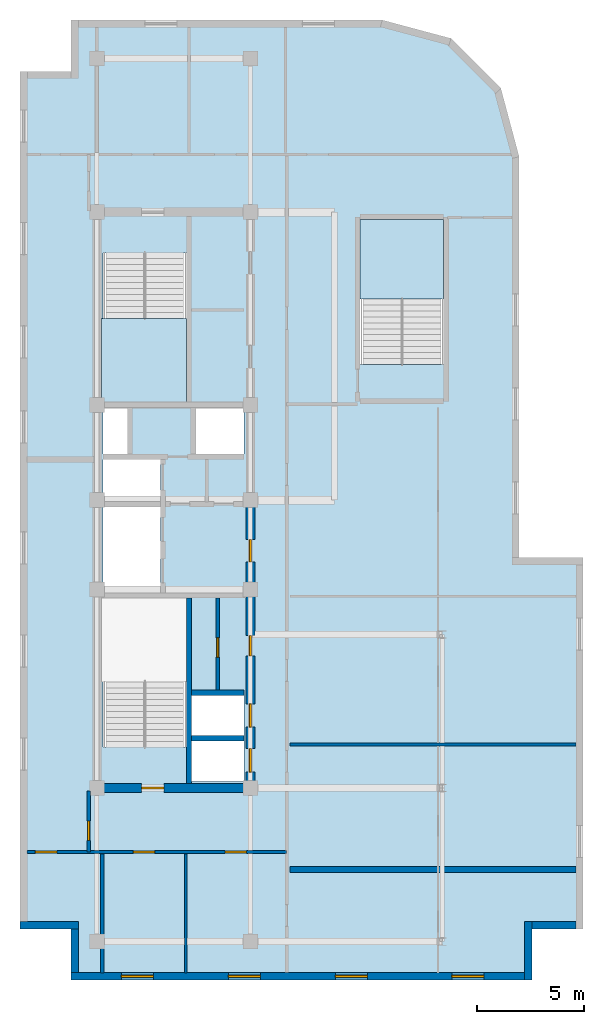
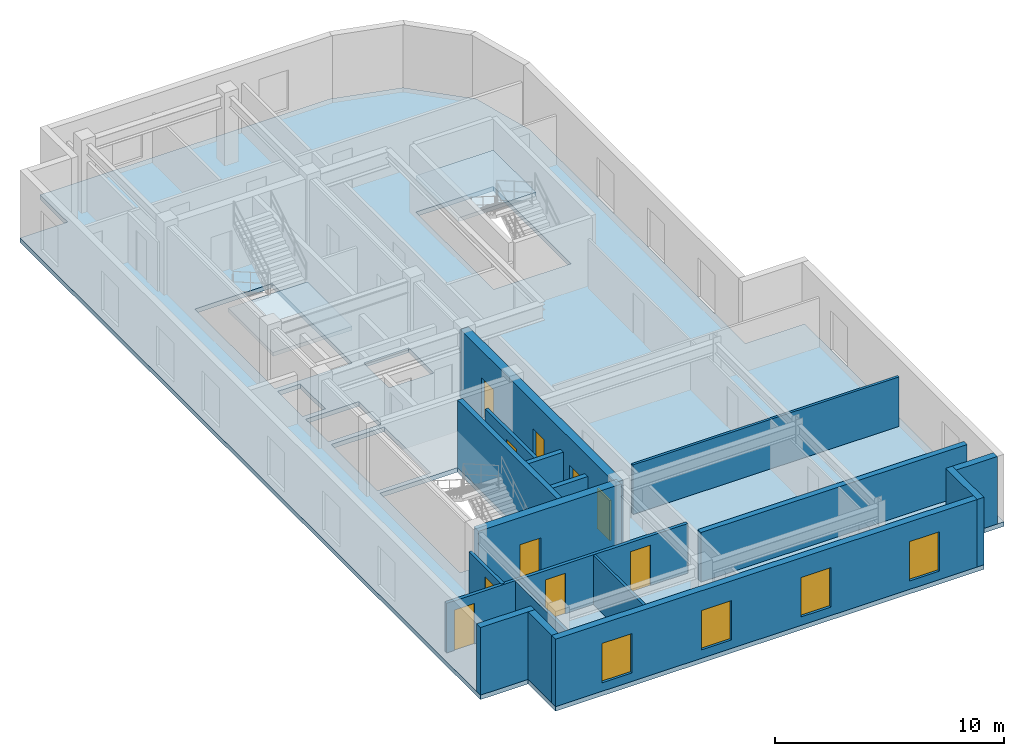
# One storey, part 2 of 6: 17 walls, 10 doors, 4 windows, 3 slabs, 14 openings, 2 elements without a shape of their own.
"""IFC4 building model written with IfcOpenShell, lengths in metres."""

from ifc_helpers import new_model, entity, si_unit, converted_unit, direction, frame, origin_with_axes, origin_2d_with_axis, place, context, subcontext, project, spatial, polyline, rectangle, outline, extrude, material, layer, layer_set, type_object, element, fill, aggregate, save


model = new_model("IFC4")

# Units and contexts
model_context = context("Model", 3, precision=1e-05, world=origin_with_axes(), true_north=direction((0.0, 1.0)))
body_context = subcontext(model_context, "Body", "Model", "MODEL_VIEW")
ifc_project = project(units=[si_unit("LENGTHUNIT", "METRE"), si_unit("AREAUNIT", "SQUARE_METRE"), si_unit("VOLUMEUNIT", "CUBIC_METRE"), converted_unit("PLANEANGLEUNIT", "DEGREE", entity("IfcPlaneAngleMeasure", 0.017453292519943295), si_unit("PLANEANGLEUNIT", "RADIAN"), dimensions=[0, 0, 0, 0, 0, 0, 0]), si_unit("MASSUNIT", "GRAM", prefix="KILO"), si_unit("THERMODYNAMICTEMPERATUREUNIT", "KELVIN")], contexts=[model_context])

# Site, building, storey
site_placement = place(None, origin_with_axes())
site = spatial("IfcSite", under=ifc_project, at=site_placement, CompositionType="ELEMENT")
building_placement = place(site_placement, origin_with_axes())
building = spatial("IfcBuilding", under=site, at=building_placement, Name="Varnlund Millrace Tower", CompositionType="ELEMENT")
storey_placement = place(building_placement, frame((0.0, 0.0, 299.7), z_axis=(0.0, 0.0, 1.0), x_axis=(1.0, 0.0, 0.0)))
storey = spatial("IfcBuildingStorey", under=building, at=storey_placement, Name="L74", CompositionType="ELEMENT", Elevation=299.7)

# Slab
ifc_material_1 = material(Name="Concrete C60/75", Category="concrete")
ifc_layer_1 = layer(ifc_material_1, 0.24, Name="Concrete C60/75")
ifc_layer_set_1 = layer_set([ifc_layer_1], Name="Concrete C60/75")
slab_type_1 = type_object("IfcSlabType", Name="Type-Deck-Plate-Typical-240", PredefinedType="FLOOR", material=ifc_layer_set_1)
slab_1_placement = place(storey_placement, frame((0.0, 0.0, -0.24), z_axis=(0.0, 0.0, 1.0), x_axis=(1.0, 0.0, 0.0)))
element("IfcSlab", 1, at=slab_1_placement, inside=storey, type_object=slab_type_1, Name="Type-Deck-Plate-Typical-240", PredefinedType="FLOOR", context=body_context, shape_type="SweptSolid", body=[
    extrude(outline(polyline([(34.2, 21.6), (31.2, 21.6), (31.2, 40.4), (30.343, 43.6), (28.0, 45.943), (24.8, 46.8), (10.2, 46.8), (10.2, 44.4), (7.8, 44.4), (7.8, 4.2), (10.2, 4.2), (10.2, 1.8), (31.8, 1.8), (31.8, 4.2), (34.2, 4.2), (34.2, 21.6)]), holes=[polyline([(18.3, 13.1), (18.3, 11.1), (15.84, 11.1), (15.84, 13.1), (18.3, 13.1)]), polyline([(18.3, 15.24), (18.3, 13.16), (15.84, 13.16), (15.84, 15.24), (18.3, 15.24)]), polyline([(15.6, 19.7), (15.6, 12.715), (11.7, 12.715), (11.7, 19.7), (15.6, 19.7)]), polyline([(11.7, 23.98), (14.38, 23.98), (14.38, 19.94), (11.7, 19.94), (11.7, 23.98)]), polyline([(14.38, 26.2), (14.38, 24.24), (11.7, 24.24), (11.7, 26.2), (14.38, 26.2)]), polyline([(12.84, 28.65), (12.84, 26.46), (11.7, 26.46), (11.7, 28.65), (12.84, 28.65)]), polyline([(18.3, 28.65), (18.3, 26.46), (16.04, 26.46), (16.04, 28.65), (18.3, 28.65)]), polyline([(15.6, 28.9), (11.7, 28.9), (11.7, 35.885), (15.6, 35.885), (15.6, 28.9)]), polyline([(27.65, 30.665), (23.75, 30.665), (23.75, 37.45), (27.65, 37.45), (27.65, 30.665)])]), origin_with_axes(), (0.0, 0.0, 1.0), 0.24),
])

# Stair, slab
ifc_material_2 = material(Name="Concrete C50/60", Category="concrete")
stair_type = type_object("IfcStairType", Name="Type-Stair-Dogleg-185-390", PredefinedType="HALF_TURN_STAIR", material=ifc_material_2)
stair_1_placement = place(storey_placement, origin_with_axes())
stair_1 = element("IfcStair", 2, at=stair_1_placement, inside=storey, type_object=stair_type, Name="Type-Stair-Dogleg-185-390", PredefinedType="HALF_TURN_STAIR")
ifc_layer_2 = layer(ifc_material_2, 0.2, Name="Concrete C50/60")
ifc_layer_set_2 = layer_set([ifc_layer_2], Name="Concrete C50/60")
slab_type_2 = type_object("IfcSlabType", Name="Type-StairLanding-200", PredefinedType="LANDING", material=ifc_layer_set_2)
slab_2_placement = place(storey_placement, frame((0.0, 0.0, 1.75), z_axis=(0.0, 0.0, 1.0), x_axis=(1.0, 0.0, 0.0)))
slab_2 = element("IfcSlab", 3, at=slab_2_placement, type_object=slab_type_2, Name="ST-A2 landing 1", PredefinedType="LANDING", context=body_context, shape_type="SweptSolid", body=[
    extrude(outline(polyline([(11.61, 32.82), (11.61, 28.9), (15.6, 28.9), (15.6, 32.82), (11.61, 32.82)])), origin_with_axes(), (0.0, 0.0, 1.0), 0.2),
])
aggregate(stair_1, [slab_2])

stair_2_placement = place(storey_placement, origin_with_axes())
stair_2 = element("IfcStair", 4, at=stair_2_placement, inside=storey, type_object=stair_type, Name="Type-Stair-Dogleg-185-390", PredefinedType="HALF_TURN_STAIR")
slab_3_placement = place(storey_placement, frame((0.0, 0.0, 1.75), z_axis=(0.0, 0.0, 1.0), x_axis=(1.0, 0.0, 0.0)))
slab_3 = element("IfcSlab", 5, at=slab_3_placement, type_object=slab_type_2, Name="ST-A3 landing 1", PredefinedType="LANDING", context=body_context, shape_type="SweptSolid", body=[
    extrude(outline(polyline([(27.65, 33.73), (27.65, 37.45), (23.75, 37.45), (23.75, 33.73), (27.65, 33.73)])), origin_with_axes(), (0.0, 0.0, 1.0), 0.2),
])
aggregate(stair_2, [slab_3])

# Wall, opening, door
ifc_layer_3 = layer(ifc_material_1, 0.42, Name="Concrete C60/75")
ifc_layer_set_3 = layer_set([ifc_layer_3], Name="Concrete C60/75")
wall_type_1 = type_object("IfcWallType", Name="Type-CoreWall-Shear-420-C60", PredefinedType="SHEAR", material=ifc_layer_set_3)
wall_1_placement = place(storey_placement, frame((11.4, 10.8, 0.0), z_axis=(0.0, 0.0, 1.0), x_axis=(1.0, 0.0, 0.0)))
wall_1 = element("IfcWall", 6, at=wall_1_placement, inside=storey, type_object=wall_type_1, Name="Type-CoreWall-Shear-420-C60", PredefinedType="SHEAR", context=body_context, shape_type="SweptSolid", body=[
    extrude(outline(polyline([(0.0, -0.21), (7.2, -0.21), (7.2, 0.21), (0.0, 0.21), (0.0, -0.21)])), origin_with_axes(), (0.0, 0.0, 1.0), 3.6),
])
opening_1_placement = place(wall_1_placement, frame((2.625, 0.0, 0.0), z_axis=(0.0, 0.0, 1.0), x_axis=(1.0, 0.0, 0.0)))
opening_1 = element("IfcOpeningElement", 7, at=opening_1_placement, cuts=wall_1, Name="Opening L74:DR-STA1", PredefinedType="OPENING", context=body_context, shape_type="SweptSolid", body=[
    extrude(rectangle(XDim=1.05, YDim=0.44, at=origin_2d_with_axis()), origin_with_axes(), (0.0, 0.0, 1.0), 2.15),
])
ifc_material_3 = material(Name="Fire-rated hollow steel door", Category="steel")
door_type_1 = type_object("IfcDoorType", Name="Type-FireDoor-Stair-1050X2150", OperationType="NOTDEFINED", PredefinedType="DOOR", material=ifc_material_3)
door_1_placement = place(wall_1_placement, frame((2.625, 0.0, 0.0), z_axis=(0.0, 0.0, 1.0), x_axis=(1.0, 0.0, 0.0)))
door_1 = element("IfcDoor", 8, at=door_1_placement, inside=storey, type_object=door_type_1, Name="Type-FireDoor-Stair-1050X2150", OperationType="SINGLE_SWING_LEFT", OverallHeight=2.15, OverallWidth=1.05, PredefinedType="DOOR", context=body_context, shape_type="SweptSolid", body=[
    extrude(rectangle(XDim=1.05, YDim=0.09, at=origin_2d_with_axis()), origin_with_axes(), (0.0, 0.0, 1.0), 2.15),
])
fill(opening_1, door_1)

# Wall, openings, doors
wall_2_placement = place(storey_placement, frame((18.6, 10.8, 0.0), z_axis=(0.0, 0.0, 1.0), x_axis=(0.0, 1.0, 0.0)))
wall_2 = element("IfcWall", 9, at=wall_2_placement, inside=storey, type_object=wall_type_1, Name="Type-CoreWall-Shear-420-C60", PredefinedType="SHEAR", context=body_context, shape_type="SweptSolid", body=[
    extrude(outline(polyline([(0.0, -0.21), (13.5, -0.21), (13.5, 0.21), (0.0, 0.21), (0.0, -0.21)])), origin_with_axes(), (0.0, 0.0, 1.0), 3.6),
])
opening_2_placement = place(wall_2_placement, frame((1.3, 0.0, 0.0), z_axis=(0.0, 0.0, 1.0), x_axis=(1.0, 0.0, 0.0)))
opening_2 = element("IfcOpeningElement", 10, at=opening_2_placement, cuts=wall_2, Name="Opening L74:LD-ELV-H1", PredefinedType="OPENING", context=body_context, shape_type="SweptSolid", body=[
    extrude(rectangle(XDim=1.1, YDim=0.44, at=origin_2d_with_axis()), origin_with_axes(), (0.0, 0.0, 1.0), 2.15),
])
opening_3_placement = place(wall_2_placement, frame((3.4, 0.0, 0.0), z_axis=(0.0, 0.0, 1.0), x_axis=(1.0, 0.0, 0.0)))
opening_3 = element("IfcOpeningElement", 11, at=opening_3_placement, cuts=wall_2, Name="Opening L74:LD-ELV-H2", PredefinedType="OPENING", context=body_context, shape_type="SweptSolid", body=[
    extrude(rectangle(XDim=1.1, YDim=0.44, at=origin_2d_with_axis()), origin_with_axes(), (0.0, 0.0, 1.0), 2.15),
])
opening_4_placement = place(wall_2_placement, frame((11.125, 0.0, 0.0), z_axis=(0.0, 0.0, 1.0), x_axis=(1.0, 0.0, 0.0)))
opening_4 = element("IfcOpeningElement", 12, at=opening_4_placement, cuts=wall_2, Name="Opening L74:DR-FFLOB-A", PredefinedType="OPENING", context=body_context, shape_type="SweptSolid", body=[
    extrude(rectangle(XDim=1.05, YDim=0.44, at=origin_2d_with_axis()), origin_with_axes(), (0.0, 0.0, 1.0), 2.15),
])
opening_5_placement = place(wall_2_placement, frame((6.675, 0.0, 0.0), z_axis=(0.0, 0.0, 1.0), x_axis=(1.0, 0.0, 0.0)))
opening_5 = element("IfcOpeningElement", 13, at=opening_5_placement, cuts=wall_2, Name="Opening L74:DR-RECL-S1B2", PredefinedType="OPENING", context=body_context, shape_type="SweptSolid", body=[
    extrude(rectangle(XDim=0.95, YDim=0.44, at=origin_2d_with_axis()), origin_with_axes(), (0.0, 0.0, 1.0), 2.15),
])
ifc_material_4 = material(Name="Smoke-barrier hollow steel fire door", Category="steel")
door_type_2 = type_object("IfcDoorType", Name="Type-FireDoor-Lobby-1050X2150", OperationType="NOTDEFINED", PredefinedType="DOOR", material=ifc_material_4)
door_2_placement = place(wall_2_placement, frame((11.125, 0.0, 0.0), z_axis=(0.0, 0.0, 1.0), x_axis=(1.0, 0.0, 0.0)))
door_2 = element("IfcDoor", 14, at=door_2_placement, inside=storey, type_object=door_type_2, Name="Type-FireDoor-Lobby-1050X2150", OperationType="SINGLE_SWING_LEFT", OverallHeight=2.15, OverallWidth=1.05, PredefinedType="DOOR", context=body_context, shape_type="SweptSolid", body=[
    extrude(rectangle(XDim=1.05, YDim=0.09, at=origin_2d_with_axis()), origin_with_axes(), (0.0, 0.0, 1.0), 2.15),
])
fill(opening_4, door_2)
ifc_material_5 = material(Name="Fire-rated hollow steel core service door", Category="steel")
door_type_3 = type_object("IfcDoorType", Name="Type-FireDoor-Service-950X2150", OperationType="NOTDEFINED", PredefinedType="DOOR", material=ifc_material_5)
door_3_placement = place(wall_2_placement, frame((6.675, 0.0, 0.0), z_axis=(0.0, 0.0, 1.0), x_axis=(1.0, 0.0, 0.0)))
door_3 = element("IfcDoor", 15, at=door_3_placement, inside=storey, type_object=door_type_3, Name="Type-FireDoor-Service-950X2150", OperationType="SINGLE_SWING_RIGHT", OverallHeight=2.15, OverallWidth=0.95, PredefinedType="DOOR", context=body_context, shape_type="SweptSolid", body=[
    extrude(rectangle(XDim=0.95, YDim=0.09, at=origin_2d_with_axis()), origin_with_axes(), (0.0, 0.0, 1.0), 2.15),
])
fill(opening_5, door_3)
ifc_material_6 = material(Name="Stainless and architectural bronze sliding landing door")
door_type_4 = type_object("IfcDoorType", Name="Type-LiftLandingDoor-1100X2150", OperationType="NOTDEFINED", PredefinedType="DOOR", material=ifc_material_6)
door_4_placement = place(wall_2_placement, frame((1.3, 0.0, 0.0), z_axis=(0.0, 0.0, 1.0), x_axis=(1.0, 0.0, 0.0)))
door_4 = element("IfcDoor", 16, at=door_4_placement, inside=storey, type_object=door_type_4, Name="Type-LiftLandingDoor-1100X2150", OperationType="SLIDING_TO_LEFT", OverallHeight=2.15, OverallWidth=1.1, PredefinedType="DOOR", context=body_context, shape_type="SweptSolid", body=[
    extrude(rectangle(XDim=1.1, YDim=0.09, at=origin_2d_with_axis()), origin_with_axes(), (0.0, 0.0, 1.0), 2.15),
])
fill(opening_2, door_4)
door_5_placement = place(wall_2_placement, frame((3.4, 0.0, 0.0), z_axis=(0.0, 0.0, 1.0), x_axis=(1.0, 0.0, 0.0)))
door_5 = element("IfcDoor", 17, at=door_5_placement, inside=storey, type_object=door_type_4, Name="Type-LiftLandingDoor-1100X2150", OperationType="SLIDING_TO_RIGHT", OverallHeight=2.15, OverallWidth=1.1, PredefinedType="DOOR", context=body_context, shape_type="SweptSolid", body=[
    extrude(rectangle(XDim=1.1, YDim=0.09, at=origin_2d_with_axis()), origin_with_axes(), (0.0, 0.0, 1.0), 2.15),
])
fill(opening_3, door_5)

# Walls
ifc_material_7 = material(Name="Precast concrete C50/60", Category="concrete")
ifc_layer_4 = layer(ifc_material_7, 0.34, Name="Precast concrete C50/60")
ifc_layer_set_4 = layer_set([ifc_layer_4], Name="Precast concrete C50/60")
wall_type_2 = type_object("IfcWallType", Name="Type-ExtWall-Precast-Upper-340", PredefinedType="SOLIDWALL", material=ifc_layer_set_4)
wall_3_placement = place(storey_placement, frame((33.86, 4.37, 0.0), z_axis=(0.0, 0.0, 1.0), x_axis=(-1.0, 0.0, 0.0)))
element("IfcWall", 18, at=wall_3_placement, inside=storey, type_object=wall_type_2, Name="Type-ExtWall-Precast-Upper-340", PredefinedType="SOLIDWALL", context=body_context, shape_type="SweptSolid", body=[
    extrude(outline(polyline([(0.0, -0.17), (2.06, -0.17), (2.06, 0.17), (0.0, 0.17), (0.0, -0.17)])), origin_with_axes(), (0.0, 0.0, 1.0), 3.6),
])
wall_4_placement = place(storey_placement, frame((31.63, 4.54, 0.0), z_axis=(0.0, 0.0, 1.0), x_axis=(0.0, -1.0, 0.0)))
element("IfcWall", 19, at=wall_4_placement, inside=storey, type_object=wall_type_2, Name="Type-ExtWall-Precast-Upper-340", PredefinedType="SOLIDWALL", context=body_context, shape_type="SweptSolid", body=[
    extrude(outline(polyline([(0.0, -0.17), (2.74, -0.17), (2.74, 0.17), (0.0, 0.17), (0.0, -0.17)])), origin_with_axes(), (0.0, 0.0, 1.0), 3.6),
])

# Wall, openings, windows
wall_5_placement = place(storey_placement, frame((31.46, 1.97, 0.0), z_axis=(0.0, 0.0, 1.0), x_axis=(-1.0, 0.0, 0.0)))
wall_5 = element("IfcWall", 20, at=wall_5_placement, inside=storey, type_object=wall_type_2, Name="Type-ExtWall-Precast-Upper-340", PredefinedType="SOLIDWALL", context=body_context, shape_type="SweptSolid", body=[
    extrude(outline(polyline([(0.0, -0.17), (21.26, -0.17), (21.26, 0.17), (0.0, 0.17), (0.0, -0.17)])), origin_with_axes(), (0.0, 0.0, 1.0), 3.6),
])
opening_6_placement = place(wall_5_placement, frame((2.658, 0.0, 0.45), z_axis=(0.0, 0.0, 1.0), x_axis=(1.0, 0.0, 0.0)))
opening_6 = element("IfcOpeningElement", 21, at=opening_6_placement, cuts=wall_5, Name="Opening L74:WN-01", PredefinedType="OPENING", context=body_context, shape_type="SweptSolid", body=[
    extrude(rectangle(XDim=1.5, YDim=0.36, at=origin_2d_with_axis()), origin_with_axes(), (0.0, 0.0, 1.0), 2.1),
])
opening_7_placement = place(wall_5_placement, frame((8.123, 0.0, 0.45), z_axis=(0.0, 0.0, 1.0), x_axis=(1.0, 0.0, 0.0)))
opening_7 = element("IfcOpeningElement", 22, at=opening_7_placement, cuts=wall_5, Name="Opening L74:WN-02", PredefinedType="OPENING", context=body_context, shape_type="SweptSolid", body=[
    extrude(rectangle(XDim=1.5, YDim=0.36, at=origin_2d_with_axis()), origin_with_axes(), (0.0, 0.0, 1.0), 2.1),
])
opening_8_placement = place(wall_5_placement, frame((13.138, 0.0, 0.45), z_axis=(0.0, 0.0, 1.0), x_axis=(1.0, 0.0, 0.0)))
opening_8 = element("IfcOpeningElement", 23, at=opening_8_placement, cuts=wall_5, Name="Opening L74:WN-03", PredefinedType="OPENING", context=body_context, shape_type="SweptSolid", body=[
    extrude(rectangle(XDim=1.5, YDim=0.36, at=origin_2d_with_axis()), origin_with_axes(), (0.0, 0.0, 1.0), 2.1),
])
opening_9_placement = place(wall_5_placement, frame((18.153, 0.0, 0.45), z_axis=(0.0, 0.0, 1.0), x_axis=(1.0, 0.0, 0.0)))
opening_9 = element("IfcOpeningElement", 24, at=opening_9_placement, cuts=wall_5, Name="Opening L74:WN-04", PredefinedType="OPENING", context=body_context, shape_type="SweptSolid", body=[
    extrude(rectangle(XDim=1.5, YDim=0.36, at=origin_2d_with_axis()), origin_with_axes(), (0.0, 0.0, 1.0), 2.1),
])
ifc_material_8 = material(Name="Argon low-e triple glazing in thermally broken bronze frame", Category="glass")
window_type = type_object("IfcWindowType", Name="Type-Window-Punched-1500X2100", PartitioningType="SINGLE_PANEL", PredefinedType="WINDOW", material=ifc_material_8)
window_1_placement = place(wall_5_placement, frame((2.658, 0.0, 0.45), z_axis=(0.0, 0.0, 1.0), x_axis=(1.0, 0.0, 0.0)))
window_1 = element("IfcWindow", 25, at=window_1_placement, inside=storey, type_object=window_type, Name="Type-Window-Punched-1500X2100", OverallHeight=2.1, OverallWidth=1.5, PredefinedType="WINDOW", context=body_context, shape_type="SweptSolid", body=[
    extrude(rectangle(XDim=1.5, YDim=0.09, at=origin_2d_with_axis()), origin_with_axes(), (0.0, 0.0, 1.0), 2.1),
])
fill(opening_6, window_1)
window_2_placement = place(wall_5_placement, frame((8.123, 0.0, 0.45), z_axis=(0.0, 0.0, 1.0), x_axis=(1.0, 0.0, 0.0)))
window_2 = element("IfcWindow", 26, at=window_2_placement, inside=storey, type_object=window_type, Name="Type-Window-Punched-1500X2100", OverallHeight=2.1, OverallWidth=1.5, PredefinedType="WINDOW", context=body_context, shape_type="SweptSolid", body=[
    extrude(rectangle(XDim=1.5, YDim=0.09, at=origin_2d_with_axis()), origin_with_axes(), (0.0, 0.0, 1.0), 2.1),
])
fill(opening_7, window_2)
window_3_placement = place(wall_5_placement, frame((13.138, 0.0, 0.45), z_axis=(0.0, 0.0, 1.0), x_axis=(1.0, 0.0, 0.0)))
window_3 = element("IfcWindow", 27, at=window_3_placement, inside=storey, type_object=window_type, Name="Type-Window-Punched-1500X2100", OverallHeight=2.1, OverallWidth=1.5, PredefinedType="WINDOW", context=body_context, shape_type="SweptSolid", body=[
    extrude(rectangle(XDim=1.5, YDim=0.09, at=origin_2d_with_axis()), origin_with_axes(), (0.0, 0.0, 1.0), 2.1),
])
fill(opening_8, window_3)
window_4_placement = place(wall_5_placement, frame((18.153, 0.0, 0.45), z_axis=(0.0, 0.0, 1.0), x_axis=(1.0, 0.0, 0.0)))
window_4 = element("IfcWindow", 28, at=window_4_placement, inside=storey, type_object=window_type, Name="Type-Window-Punched-1500X2100", OverallHeight=2.1, OverallWidth=1.5, PredefinedType="WINDOW", context=body_context, shape_type="SweptSolid", body=[
    extrude(rectangle(XDim=1.5, YDim=0.09, at=origin_2d_with_axis()), origin_with_axes(), (0.0, 0.0, 1.0), 2.1),
])
fill(opening_9, window_4)

# Walls
wall_6_placement = place(storey_placement, frame((10.37, 2.14, 0.0), z_axis=(0.0, 0.0, 1.0), x_axis=(0.0, 1.0, 0.0)))
element("IfcWall", 29, at=wall_6_placement, inside=storey, type_object=wall_type_2, Name="Type-ExtWall-Precast-Upper-340", PredefinedType="SOLIDWALL", context=body_context, shape_type="SweptSolid", body=[
    extrude(outline(polyline([(0.0, -0.17), (2.06, -0.17), (2.06, 0.17), (0.0, 0.17), (0.0, -0.17)])), origin_with_axes(), (0.0, 0.0, 1.0), 3.6),
])
wall_7_placement = place(storey_placement, frame((10.54, 4.37, 0.0), z_axis=(0.0, 0.0, 1.0), x_axis=(-1.0, 0.0, 0.0)))
element("IfcWall", 30, at=wall_7_placement, inside=storey, type_object=wall_type_2, Name="Type-ExtWall-Precast-Upper-340", PredefinedType="SOLIDWALL", context=body_context, shape_type="SweptSolid", body=[
    extrude(outline(polyline([(0.0, -0.17), (2.74, -0.17), (2.74, 0.17), (0.0, 0.17), (0.0, -0.17)])), origin_with_axes(), (0.0, 0.0, 1.0), 3.6),
])
ifc_material_9 = material(Name="Double-stud STC-60 conference acoustic partition", Category="gypsum")
ifc_layer_5 = layer(ifc_material_9, 0.28, Name="Double-stud STC-60 conference acoustic partition")
ifc_layer_set_5 = layer_set([ifc_layer_5], Name="Double-stud STC-60 conference acoustic partition")
wall_type_3 = type_object("IfcWallType", Name="Type-Partition-Acoustic-280", PredefinedType="PARTITIONING", material=ifc_layer_set_5)
wall_8_placement = place(storey_placement, frame((20.45, 6.976, 0.0), z_axis=(0.0, 0.0, 1.0), x_axis=(1.0, 0.0, 0.0)))
element("IfcWall", 31, at=wall_8_placement, inside=storey, type_object=wall_type_3, Name="Type-Partition-Acoustic-280", PredefinedType="PARTITIONING", context=body_context, shape_type="SweptSolid", body=[
    extrude(outline(polyline([(0.0, -0.14), (13.415, -0.14), (13.415, 0.14), (0.0, 0.14), (0.0, -0.14)])), origin_with_axes(), (0.0, 0.0, 1.0), 2.64),
])

# Wall, opening, door
ifc_material_10 = material(Name="Fire-rated gypsum board on cold-formed steel framing", Category="steel")
ifc_layer_6 = layer(ifc_material_10, 0.16, Name="Fire-rated gypsum board on cold-formed steel framing")
ifc_layer_set_6 = layer_set([ifc_layer_6], Name="Fire-rated gypsum board on cold-formed steel framing")
wall_type_4 = type_object("IfcWallType", Name="Type-Partition-Corridor-160", PredefinedType="PARTITIONING", material=ifc_layer_set_6)
wall_9_placement = place(storey_placement, frame((17.07, 15.34, 0.0), z_axis=(0.0, 0.0, 1.0), x_axis=(0.0, 1.0, 0.0)))
wall_9 = element("IfcWall", 32, at=wall_9_placement, inside=storey, type_object=wall_type_4, Name="Type-Partition-Corridor-160", PredefinedType="PARTITIONING", context=body_context, shape_type="SweptSolid", body=[
    extrude(outline(polyline([(0.0, -0.08), (4.36, -0.08), (4.36, 0.08), (0.0, 0.08), (0.0, -0.08)])), origin_with_axes(), (0.0, 0.0, 1.0), 2.64),
])
opening_10_placement = place(wall_9_placement, frame((2.05, 0.0, 0.0), z_axis=(0.0, 0.0, 1.0), x_axis=(1.0, 0.0, 0.0)))
opening_10 = element("IfcOpeningElement", 33, at=opening_10_placement, cuts=wall_9, Name="Opening L74:DR-RECL-S1B1", PredefinedType="OPENING", context=body_context, shape_type="SweptSolid", body=[
    extrude(rectangle(XDim=0.9, YDim=0.18, at=origin_2d_with_axis()), origin_with_axes(), (0.0, 0.0, 1.0), 2.15),
])
ifc_material_11 = material(Name="Painted steel riser and closet door", Category="steel")
door_type_5 = type_object("IfcDoorType", Name="Type-IntDoor-Closet-900X2150", OperationType="NOTDEFINED", PredefinedType="DOOR", material=ifc_material_11)
door_6_placement = place(wall_9_placement, frame((2.05, 0.0, 0.0), z_axis=(0.0, 0.0, 1.0), x_axis=(1.0, 0.0, 0.0)))
door_6 = element("IfcDoor", 34, at=door_6_placement, inside=storey, type_object=door_type_5, Name="Type-IntDoor-Closet-900X2150", OperationType="SINGLE_SWING_LEFT", OverallHeight=2.15, OverallWidth=0.9, PredefinedType="DOOR", context=body_context, shape_type="SweptSolid", body=[
    extrude(rectangle(XDim=0.9, YDim=0.09, at=origin_2d_with_axis()), origin_with_axes(), (0.0, 0.0, 1.0), 2.15),
])
fill(opening_10, door_6)

# Wall, openings, doors
wall_10_placement = place(storey_placement, frame((8.135, 7.8, 0.0), z_axis=(0.0, 0.0, 1.0), x_axis=(1.0, 0.0, 0.0)))
wall_10 = element("IfcWall", 35, at=wall_10_placement, inside=storey, type_object=wall_type_4, Name="Type-Partition-Corridor-160", PredefinedType="PARTITIONING", context=body_context, shape_type="SweptSolid", body=[
    extrude(outline(polyline([(0.0, -0.08), (12.165, -0.08), (12.165, 0.08), (0.0, 0.08), (0.0, -0.08)])), origin_with_axes(), (0.0, 0.0, 1.0), 2.64),
])
opening_11_placement = place(wall_10_placement, frame((0.89, 0.0, 0.0), z_axis=(0.0, 0.0, 1.0), x_axis=(1.0, 0.0, 0.0)))
opening_11 = element("IfcOpeningElement", 36, at=opening_11_placement, cuts=wall_10, Name="Opening L74:DR-WAS-01", PredefinedType="OPENING", context=body_context, shape_type="SweptSolid", body=[
    extrude(rectangle(XDim=1.0, YDim=0.18, at=origin_2d_with_axis()), origin_with_axes(), (0.0, 0.0, 1.0), 2.15),
])
opening_12_placement = place(wall_10_placement, frame((5.482, 0.0, 0.0), z_axis=(0.0, 0.0, 1.0), x_axis=(1.0, 0.0, 0.0)))
opening_12 = element("IfcOpeningElement", 37, at=opening_12_placement, cuts=wall_10, Name="Opening L74:DR-WAS-02", PredefinedType="OPENING", context=body_context, shape_type="SweptSolid", body=[
    extrude(rectangle(XDim=1.0, YDim=0.18, at=origin_2d_with_axis()), origin_with_axes(), (0.0, 0.0, 1.0), 2.15),
])
opening_13_placement = place(wall_10_placement, frame((9.7775, 0.0, 0.0), z_axis=(0.0, 0.0, 1.0), x_axis=(1.0, 0.0, 0.0)))
opening_13 = element("IfcOpeningElement", 38, at=opening_13_placement, cuts=wall_10, Name="Opening L74:DR-WAS-03", PredefinedType="OPENING", context=body_context, shape_type="SweptSolid", body=[
    extrude(rectangle(XDim=1.0, YDim=0.18, at=origin_2d_with_axis()), origin_with_axes(), (0.0, 0.0, 1.0), 2.15),
])
ifc_material_12 = material(Name="Solid-core white oak and bronze frame door")
door_type_6 = type_object("IfcDoorType", Name="Type-IntDoor-Office-1000X2150", OperationType="NOTDEFINED", PredefinedType="DOOR", material=ifc_material_12)
door_7_placement = place(wall_10_placement, frame((0.89, 0.0, 0.0), z_axis=(0.0, 0.0, 1.0), x_axis=(1.0, 0.0, 0.0)))
door_7 = element("IfcDoor", 39, at=door_7_placement, inside=storey, type_object=door_type_6, Name="Type-IntDoor-Office-1000X2150", OperationType="SINGLE_SWING_LEFT", OverallHeight=2.15, OverallWidth=1.0, PredefinedType="DOOR", context=body_context, shape_type="SweptSolid", body=[
    extrude(rectangle(XDim=1.0, YDim=0.09, at=origin_2d_with_axis()), origin_with_axes(), (0.0, 0.0, 1.0), 2.15),
])
fill(opening_11, door_7)
door_8_placement = place(wall_10_placement, frame((5.482, 0.0, 0.0), z_axis=(0.0, 0.0, 1.0), x_axis=(1.0, 0.0, 0.0)))
door_8 = element("IfcDoor", 40, at=door_8_placement, inside=storey, type_object=door_type_6, Name="Type-IntDoor-Office-1000X2150", OperationType="SINGLE_SWING_RIGHT", OverallHeight=2.15, OverallWidth=1.0, PredefinedType="DOOR", context=body_context, shape_type="SweptSolid", body=[
    extrude(rectangle(XDim=1.0, YDim=0.09, at=origin_2d_with_axis()), origin_with_axes(), (0.0, 0.0, 1.0), 2.15),
])
fill(opening_12, door_8)
door_9_placement = place(wall_10_placement, frame((9.7775, 0.0, 0.0), z_axis=(0.0, 0.0, 1.0), x_axis=(1.0, 0.0, 0.0)))
door_9 = element("IfcDoor", 41, at=door_9_placement, inside=storey, type_object=door_type_6, Name="Type-IntDoor-Office-1000X2150", OperationType="SINGLE_SWING_LEFT", OverallHeight=2.15, OverallWidth=1.0, PredefinedType="DOOR", context=body_context, shape_type="SweptSolid", body=[
    extrude(rectangle(XDim=1.0, YDim=0.09, at=origin_2d_with_axis()), origin_with_axes(), (0.0, 0.0, 1.0), 2.15),
])
fill(opening_13, door_9)

# Wall, opening, door
wall_11_placement = place(storey_placement, frame((11.02, 7.8, 0.0), z_axis=(0.0, 0.0, 1.0), x_axis=(0.0, 1.0, 0.0)))
wall_11 = element("IfcWall", 42, at=wall_11_placement, inside=storey, type_object=wall_type_4, Name="Type-Partition-Corridor-160", PredefinedType="PARTITIONING", context=body_context, shape_type="SweptSolid", body=[
    extrude(outline(polyline([(0.0, -0.08), (2.85, -0.08), (2.85, 0.08), (0.0, 0.08), (0.0, -0.08)])), origin_with_axes(), (0.0, 0.0, 1.0), 2.64),
])
opening_14_placement = place(wall_11_placement, frame((1.0, 0.0, 0.0), z_axis=(0.0, 0.0, 1.0), x_axis=(1.0, 0.0, 0.0)))
opening_14 = element("IfcOpeningElement", 43, at=opening_14_placement, cuts=wall_11, Name="Opening L74:DR-WU-S1", PredefinedType="OPENING", context=body_context, shape_type="SweptSolid", body=[
    extrude(rectangle(XDim=0.9, YDim=0.18, at=origin_2d_with_axis()), origin_with_axes(), (0.0, 0.0, 1.0), 2.15),
])
door_10_placement = place(wall_11_placement, frame((1.0, 0.0, 0.0), z_axis=(0.0, 0.0, 1.0), x_axis=(1.0, 0.0, 0.0)))
door_10 = element("IfcDoor", 44, at=door_10_placement, inside=storey, type_object=door_type_5, Name="Type-IntDoor-Closet-900X2150", OperationType="SINGLE_SWING_LEFT", OverallHeight=2.15, OverallWidth=0.9, PredefinedType="DOOR", context=body_context, shape_type="SweptSolid", body=[
    extrude(rectangle(XDim=0.9, YDim=0.09, at=origin_2d_with_axis()), origin_with_axes(), (0.0, 0.0, 1.0), 2.15),
])
fill(opening_14, door_10)

# Walls
ifc_material_13 = material(Name="Acoustic STC-50 gypsum board partition", Category="gypsum")
ifc_layer_7 = layer(ifc_material_13, 0.15, Name="Acoustic STC-50 gypsum board partition")
ifc_layer_set_7 = layer_set([ifc_layer_7], Name="Acoustic STC-50 gypsum board partition")
wall_type_5 = type_object("IfcWallType", Name="Type-Partition-Demising-150", PredefinedType="PARTITIONING", material=ifc_layer_set_7)
wall_12_placement = place(storey_placement, frame((11.659, 2.135, 0.0), z_axis=(0.0, 0.0, 1.0), x_axis=(0.0, 1.0, 0.0)))
element("IfcWall", 45, at=wall_12_placement, inside=storey, type_object=wall_type_5, Name="Type-Partition-Demising-150", PredefinedType="PARTITIONING", context=body_context, shape_type="SweptSolid", body=[
    extrude(outline(polyline([(0.0, -0.075), (5.565, -0.075), (5.565, 0.075), (0.0, 0.075), (0.0, -0.075)])), origin_with_axes(), (0.0, 0.0, 1.0), 2.64),
])
ifc_material_14 = material(Name="Gypsum board tenant partition", Category="gypsum")
ifc_layer_8 = layer(ifc_material_14, 0.125, Name="Gypsum board tenant partition")
ifc_layer_set_8 = layer_set([ifc_layer_8], Name="Gypsum board tenant partition")
wall_type_6 = type_object("IfcWallType", Name="Type-Partition-Tenant-125", PredefinedType="PARTITIONING", material=ifc_layer_set_8)
wall_13_placement = place(storey_placement, frame((15.575, 2.135, 0.0), z_axis=(0.0, 0.0, 1.0), x_axis=(0.0, 1.0, 0.0)))
element("IfcWall", 46, at=wall_13_placement, inside=storey, type_object=wall_type_6, Name="Type-Partition-Tenant-125", PredefinedType="PARTITIONING", context=body_context, shape_type="SweptSolid", body=[
    extrude(outline(polyline([(0.0, -0.0625), (5.565, -0.0625), (5.565, 0.0625), (0.0, 0.0625), (0.0, -0.0625)])), origin_with_axes(), (0.0, 0.0, 1.0), 2.64),
])
wall_14_placement = place(storey_placement, frame((20.45, 12.842, 0.0), z_axis=(0.0, 0.0, 1.0), x_axis=(1.0, 0.0, 0.0)))
element("IfcWall", 47, at=wall_14_placement, inside=storey, type_object=wall_type_6, Name="Type-Partition-Tenant-125", PredefinedType="PARTITIONING", context=body_context, shape_type="SweptSolid", body=[
    extrude(outline(polyline([(0.0, -0.0625), (13.415, -0.0625), (13.415, 0.0625), (0.0, 0.0625), (0.0, -0.0625)])), origin_with_axes(), (0.0, 0.0, 1.0), 2.64),
])
ifc_layer_9 = layer(ifc_material_1, 0.25, Name="Concrete C60/75")
ifc_layer_set_9 = layer_set([ifc_layer_9], Name="Concrete C60/75")
wall_type_7 = type_object("IfcWallType", Name="Type-ShaftWall-Fire-250", PredefinedType="SOLIDWALL", material=ifc_layer_set_9)
for number, where, z_axis, x_axis, name in (
    (48, (15.84, 13.13, 0.0), (0.0, 0.0, 1.0), (1.0, 0.0, 0.0), "Type-ShaftWall-Fire-250"),
    (49, (15.84, 15.27, 0.0), (0.0, 0.0, 1.0), (1.0, 0.0, 0.0), "Type-ShaftWall-Fire-250"),
):
    element("IfcWall", number, at=place(storey_placement, frame(where, z_axis=z_axis, x_axis=x_axis)), inside=storey, type_object=wall_type_7, Name=name, PredefinedType="SOLIDWALL", context=body_context, shape_type="SweptSolid", body=[
        extrude(outline(polyline([(0.0, -0.125), (2.46, -0.125), (2.46, 0.125), (0.0, 0.125), (0.0, -0.125)])), origin_with_axes(), (0.0, 0.0, 1.0), 2.64),
    ])
wall_type_8 = type_object("IfcWallType", Name="Type-StairWall-Shear-250", PredefinedType="SHEAR", material=ifc_layer_set_9)
wall_15_placement = place(storey_placement, frame((15.725, 11.01, 0.0), z_axis=(0.0, 0.0, 1.0), x_axis=(0.0, 1.0, 0.0)))
element("IfcWall", 50, at=wall_15_placement, inside=storey, type_object=wall_type_8, Name="Type-StairWall-Shear-250", PredefinedType="SHEAR", context=body_context, shape_type="SweptSolid", body=[
    extrude(outline(polyline([(0.0, -0.125), (8.69, -0.125), (8.69, 0.125), (0.0, 0.125), (0.0, -0.125)])), origin_with_axes(), (0.0, 0.0, 1.0), 3.6),
])

save(model, "model.ifc")
